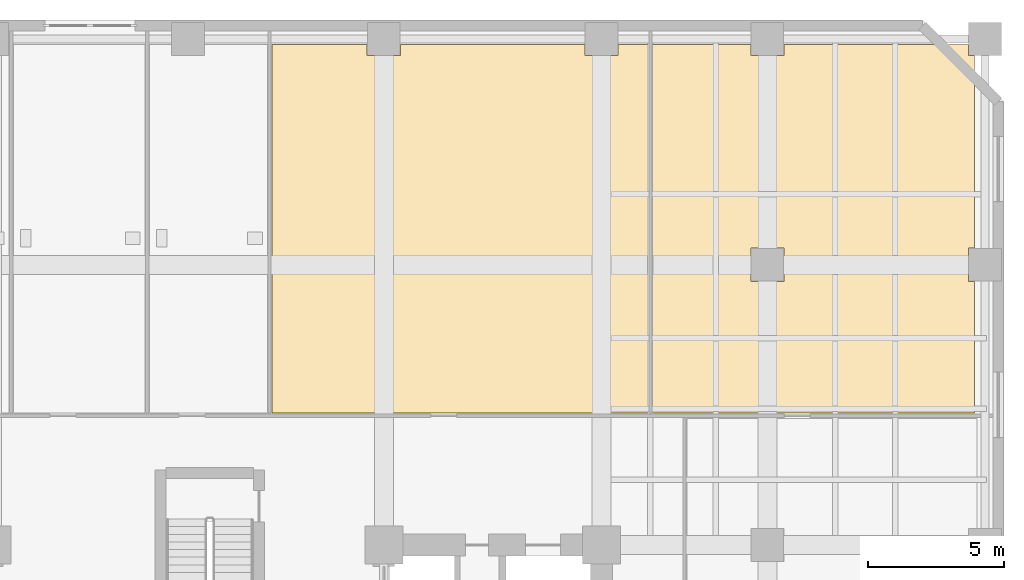
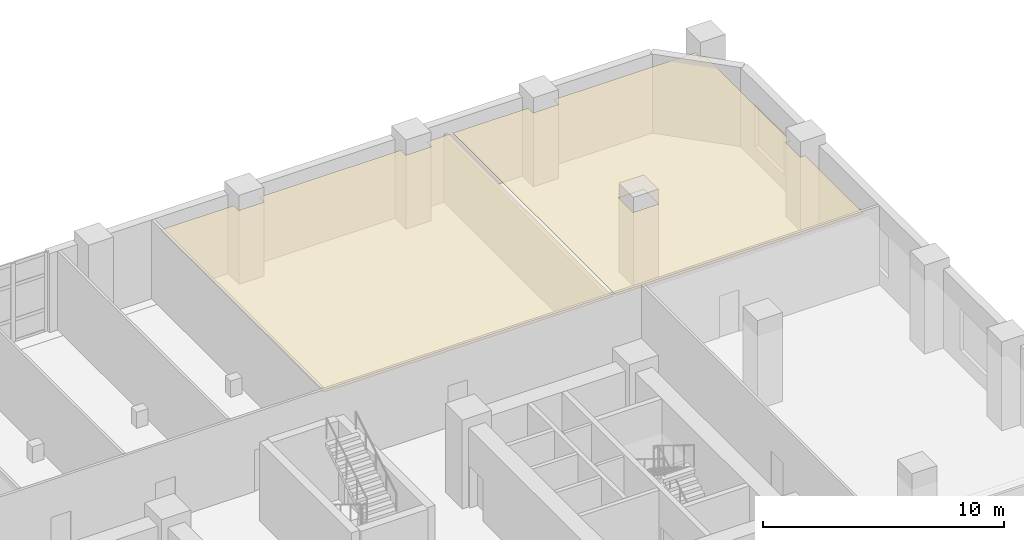
# One storey, part 14 of 15: 2 coverings.
"""IFC4 building model written with IfcOpenShell, lengths in metres."""

from ifc_helpers import new_model, si_unit, direction, frame, origin, place, context, subcontext, project, spatial, polyline, outline, extrude, material, layer, layer_set, type_object, element, save


model = new_model("IFC4")

# Units and contexts
model_context = context("Model", 3, precision=1e-05, world=origin(), true_north=direction((0.0, 1.0)))
body_context = subcontext(model_context, "Body", "Model", "MODEL_VIEW")
ifc_project = project(units=[si_unit("LENGTHUNIT", "METRE"), si_unit("AREAUNIT", "SQUARE_METRE"), si_unit("VOLUMEUNIT", "CUBIC_METRE"), si_unit("PLANEANGLEUNIT", "RADIAN"), si_unit("MASSUNIT", "GRAM", prefix="KILO")], contexts=[model_context])

# Site, building, storey
site_placement = place(None, origin())
site = spatial("IfcSite", under=ifc_project, at=site_placement, CompositionType="ELEMENT")
building_placement = place(site_placement, origin())
building = spatial("IfcBuilding", under=site, at=building_placement, Name="Kranthara Brick Stack", CompositionType="ELEMENT")
storey_placement = place(building_placement, frame((0.0, 0.0, 14.39990234375)))
storey = spatial("IfcBuildingStorey", under=building, at=storey_placement, Name="L03", CompositionType="ELEMENT", Elevation=14.39990234375)

# Coverings
ifc_material = material(Name="Perforated mineral-fibre acoustic ceiling tile", Category="other")
ifc_layer = layer(ifc_material, 0.02490234375)
ifc_layer_set = layer_set([ifc_layer], Name="Perforated mineral-fibre acoustic ceiling tile")
covering_type = type_object("IfcCoveringType", Name="COV-CEIL-ACOUSTIC", PredefinedType="CEILING", material=ifc_layer_set)
covering_1_placement = place(storey_placement, frame((0.0, 0.0, 3.72998046875)))
element("IfcCovering", 1, at=covering_1_placement, inside=storey, type_object=covering_type, Name="L03 Catering Pantry Acoustic Ceiling", PredefinedType="CEILING", context=body_context, shape_type="SweptSolid", body=[
    extrude(outline(polyline([(44.919921875, 38.449951171875), (31.080078125, 38.449951171875), (31.080078125, 52.0), (34.590087890625, 52.0), (34.590087890625, 51.590087890625), (35.81005859375, 51.590087890625), (35.81005859375, 52.0), (42.590087890625, 52.0), (42.590087890625, 51.590087890625), (43.81005859375, 51.590087890625), (43.81005859375, 52.0), (44.919921875, 52.0), (44.919921875, 38.449951171875)])), origin(), (0.0, 0.0, 1.0), 0.025146484375),
])
covering_2_placement = place(storey_placement, frame((0.0, 0.0, 3.72998046875)))
element("IfcCovering", 2, at=covering_2_placement, inside=storey, type_object=covering_type, Name="L03 Townhall Briefing Room Acoustic Ceiling", PredefinedType="CEILING", context=body_context, shape_type="SweptSolid", body=[
    extrude(outline(polyline([(45.080078125, 52.0), (48.68994140625, 52.0), (48.68994140625, 51.590087890625), (49.909912109375, 51.590087890625), (49.909912109375, 52.0), (56.68994140625, 52.0), (56.68994140625, 51.590087890625), (56.919921875, 51.590087890625), (56.919921875, 44.510009765625), (56.68994140625, 44.510009765625), (56.68994140625, 43.2900390625), (56.919921875, 43.2900390625), (56.919921875, 38.449951171875), (45.080078125, 38.449951171875), (45.080078125, 52.0)]), holes=[polyline([(49.909912109375, 44.510009765625), (48.68994140625, 44.510009765625), (48.68994140625, 43.2900390625), (49.909912109375, 43.2900390625), (49.909912109375, 44.510009765625)])]), origin(), (0.0, 0.0, 1.0), 0.025146484375),
])

save(model, "model.ifc")
